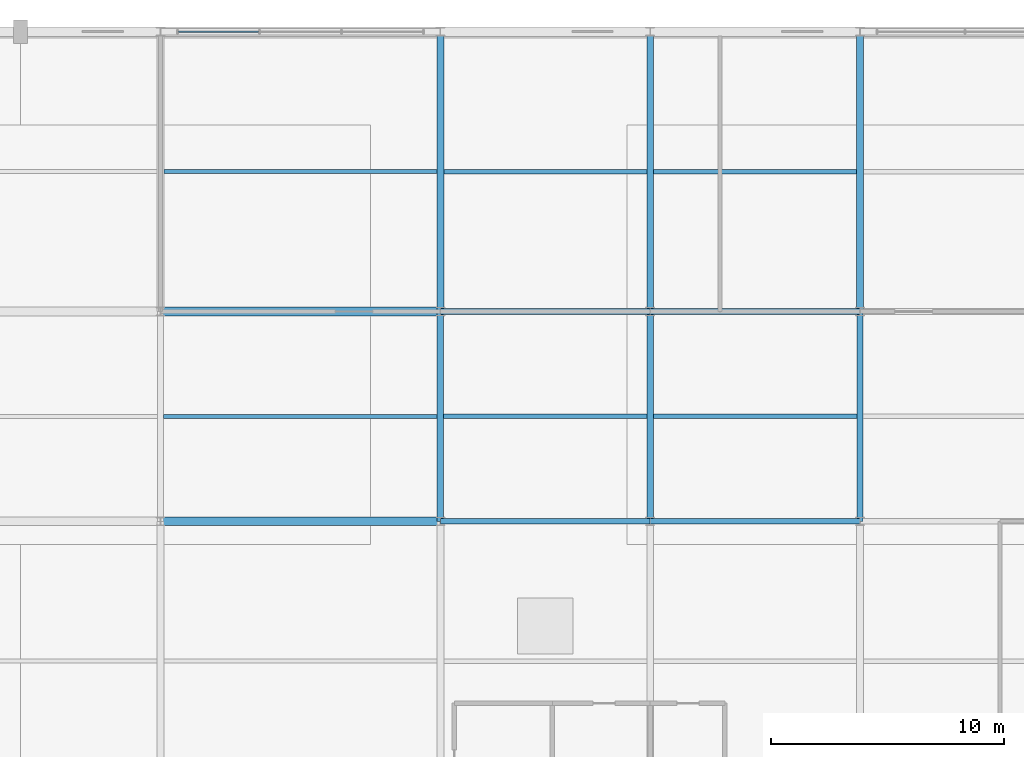
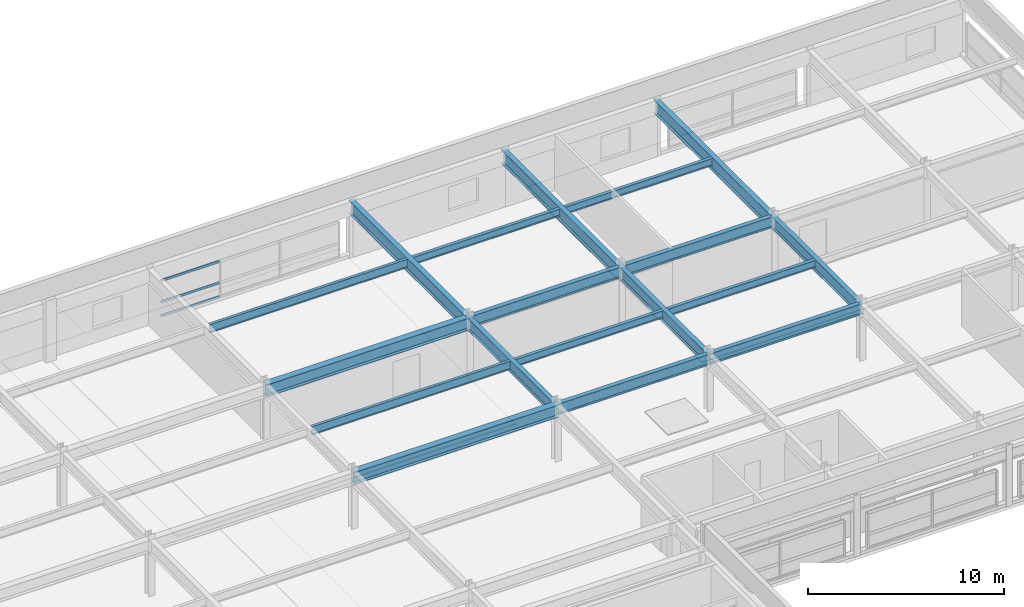
# One storey, part 77 of 108: 18 beams, 3 members, 1 element without a shape of its own.
"""IFC4 building model written with IfcOpenShell, lengths in metres."""

from ifc_helpers import new_model, si_unit, direction, frame, origin, origin_2d, place, context, subcontext, project, spatial, hollow_rectangle, i_section, extrude, material, material_profile, profile_set, type_object, element, aggregate, save


model = new_model("IFC4")

# Units and contexts
model_context = context("Model", 3, precision=1e-05, world=origin(), true_north=direction((0.0, 1.0)))
body_context = subcontext(model_context, "Body", "Model", "MODEL_VIEW")
ifc_project = project(units=[si_unit("LENGTHUNIT", "METRE"), si_unit("AREAUNIT", "SQUARE_METRE"), si_unit("VOLUMEUNIT", "CUBIC_METRE"), si_unit("PLANEANGLEUNIT", "RADIAN"), si_unit("MASSUNIT", "GRAM", prefix="KILO")], contexts=[model_context])

# Site, building, storey
site_placement = place(None, origin())
site = spatial("IfcSite", under=ifc_project, at=site_placement, CompositionType="ELEMENT")
building_placement = place(site_placement, origin())
building = spatial("IfcBuilding", under=site, at=building_placement, Name="Kaldorvane Square Convention Centre", CompositionType="ELEMENT")
storey_placement = place(building_placement, frame((0.0, 0.0, 23.399993896484375)))
storey = spatial("IfcBuildingStorey", under=building, at=storey_placement, Name="L04", CompositionType="ELEMENT", Elevation=23.399993896484375)

# Beams
ifc_material_1 = material(Name="Steel ASTM A992 Gr. 50", Category="steel")
ifc_material_profile_1 = material_profile(ifc_material_1, i_section(OverallWidth=0.25439453125, OverallDepth=0.6880950927734375, WebThickness=0.0131072998046875, FlangeThickness=0.0211029052734375, FilletRadius=0.01519775390625, at=origin_2d()), Name="W27X102")
ifc_profile_set_1 = profile_set([ifc_material_profile_1], Name="Steel ASTM A992 Gr. 50")
beam_type_1 = type_object("IfcBeamType", Name="BM-GR-W27X102", PredefinedType="BEAM", material=ifc_profile_set_1)
for number, where, z_axis, x_axis, name in (
    (1, (138.0, 96.0, 3.1819000244140625), (1.0, 0.0, 0.0), (0.0, 1.0, 0.0), "Primary Girder (L04)"),
    (2, (147.0, 96.0, 3.1819000244140625), (1.0, 0.0, 0.0), (0.0, 1.0, 0.0), "Primary Girder (L04)"),
    (3, (138.0, 105.0, 3.1819000244140625), (1.0, 0.0, 0.0), (0.0, 1.0, 0.0), "Primary Girder (L04)"),
    (4, (147.0, 105.0, 3.1819000244140625), (1.0, 0.0, 0.0), (0.0, 1.0, 0.0), "Primary Girder (L04)"),
):
    element("IfcBeam", number, at=place(storey_placement, frame(where, z_axis=z_axis, x_axis=x_axis)), inside=storey, type_object=beam_type_1, Name=name, PredefinedType="BEAM", context=body_context, shape_type="SweptSolid", body=[
        extrude(i_section(OverallWidth=0.25439453125, OverallDepth=0.6880950927734375, WebThickness=0.0131072998046875, FlangeThickness=0.0211029052734375, FilletRadius=0.01519775390625, at=origin_2d()), origin(), (0.0, 0.0, 1.0), 9.0),
    ])
ifc_material_profile_2 = material_profile(ifc_material_1, i_section(OverallWidth=0.2666015625, OverallDepth=0.762298583984375, WebThickness=0.014404296875, FlangeThickness=0.0216064453125, FilletRadius=0.0164947509765625, at=origin_2d()), Name="W30X116")
ifc_profile_set_2 = profile_set([ifc_material_profile_2], Name="Steel ASTM A992 Gr. 50")
beam_type_2 = type_object("IfcBeamType", Name="BM-GR-W30X116", PredefinedType="BEAM", material=ifc_profile_set_2)
for number, where, z_axis, x_axis, name in (
    (5, (138.0, 96.0, 3.144805908203125), (0.0, 1.0, 0.0), (-1.0, 0.0, 0.0), "Transverse Girder (L04)"),
    (6, (147.0, 96.0, 3.144805908203125), (0.0, 1.0, 0.0), (-1.0, 0.0, 0.0), "Transverse Girder (L04)"),
    (7, (156.0, 96.0, 3.144805908203125), (0.0, 1.0, 0.0), (-1.0, 0.0, 0.0), "Transverse Girder (L04)"),
):
    element("IfcBeam", number, at=place(storey_placement, frame(where, z_axis=z_axis, x_axis=x_axis)), inside=storey, type_object=beam_type_2, Name=name, PredefinedType="BEAM", context=body_context, shape_type="SweptSolid", body=[
        extrude(i_section(OverallWidth=0.2666015625, OverallDepth=0.762298583984375, WebThickness=0.014404296875, FlangeThickness=0.0216064453125, FilletRadius=0.0164947509765625, at=origin_2d()), origin(), (0.0, 0.0, 1.0), 9.0),
    ])
ifc_material_profile_3 = material_profile(ifc_material_1, i_section(OverallWidth=0.380706787109375, OverallDepth=0.773193359375, WebThickness=0.0166015625, FlangeThickness=0.027099609375, FilletRadius=0.0164947509765625, at=origin_2d()), Name="W30X173")
ifc_profile_set_3 = profile_set([ifc_material_profile_3], Name="Steel ASTM A992 Gr. 50")
beam_type_3 = type_object("IfcBeamType", Name="BM-GR-W30X173", PredefinedType="BEAM", material=ifc_profile_set_3)
for number, where, z_axis, x_axis, name in (
    (8, (126.0, 96.0, 3.139404296875), (1.0, 0.0, 0.0), (0.0, 1.0, 0.0), "Primary Girder (L04)"),
    (9, (126.0, 105.0, 3.139404296875), (1.0, 0.0, 0.0), (0.0, 1.0, 0.0), "Primary Girder (L04)"),
):
    element("IfcBeam", number, at=place(storey_placement, frame(where, z_axis=z_axis, x_axis=x_axis)), inside=storey, type_object=beam_type_3, Name=name, PredefinedType="BEAM", context=body_context, shape_type="SweptSolid", body=[
        extrude(i_section(OverallWidth=0.380706787109375, OverallDepth=0.773193359375, WebThickness=0.0166015625, FlangeThickness=0.027099609375, FilletRadius=0.0164947509765625, at=origin_2d()), origin(), (0.0, 0.0, 1.0), 12.0),
    ])
ifc_material_profile_4 = material_profile(ifc_material_1, i_section(OverallWidth=0.292999267578125, OverallDepth=0.845794677734375, WebThickness=0.0153961181640625, FlangeThickness=0.0243988037109375, FilletRadius=0.0178070068359375, at=origin_2d()), Name="W33X141")
ifc_profile_set_4 = profile_set([ifc_material_profile_4], Name="Steel ASTM A992 Gr. 50")
beam_type_4 = type_object("IfcBeamType", Name="BM-GR-W33X141", PredefinedType="BEAM", material=ifc_profile_set_4)
for number, where, z_axis, x_axis, name in (
    (10, (138.0, 105.0, 3.1031036376953125), (0.0, 1.0, 0.0), (-1.0, 0.0, 0.0), "Transverse Girder (L04)"),
    (11, (147.0, 105.0, 3.1031036376953125), (0.0, 1.0, 0.0), (-1.0, 0.0, 0.0), "Transverse Girder (L04)"),
    (12, (156.0, 105.0, 3.1031036376953125), (0.0, 1.0, 0.0), (-1.0, 0.0, 0.0), "Transverse Girder (L04)"),
):
    element("IfcBeam", number, at=place(storey_placement, frame(where, z_axis=z_axis, x_axis=x_axis)), inside=storey, type_object=beam_type_4, Name=name, PredefinedType="BEAM", context=body_context, shape_type="SweptSolid", body=[
        extrude(i_section(OverallWidth=0.292999267578125, OverallDepth=0.845794677734375, WebThickness=0.0153961181640625, FlangeThickness=0.0243988037109375, FilletRadius=0.0178070068359375, at=origin_2d()), origin(), (0.0, 0.0, 1.0), 12.0),
    ])
ifc_material_profile_5 = material_profile(ifc_material_1, i_section(OverallWidth=0.1912994384765625, OverallDepth=0.4600067138671875, WebThickness=0.0099029541015625, FlangeThickness=0.0160064697265625, FilletRadius=0.01019287109375, at=origin_2d()), Name="W18X55")
ifc_profile_set_5 = profile_set([ifc_material_profile_5], Name="Steel ASTM A992 Gr. 50")
beam_type_5 = type_object("IfcBeamType", Name="BM-JS-W18X55", PredefinedType="JOIST", material=ifc_profile_set_5)
for number, where, z_axis, x_axis, name in (
    (13, (138.13330078125, 100.5, 3.2960052490234375), (1.0, 0.0, 0.0), (0.0, 1.0, 0.0), "Secondary Floor Joist (L04)"),
    (14, (147.13330078125, 100.5, 3.2960052490234375), (1.0, 0.0, 0.0), (0.0, 1.0, 0.0), "Secondary Floor Joist (L04)"),
):
    element("IfcBeam", number, at=place(storey_placement, frame(where, z_axis=z_axis, x_axis=x_axis)), inside=storey, type_object=beam_type_5, Name=name, PredefinedType="JOIST", context=body_context, shape_type="SweptSolid", body=[
        extrude(i_section(OverallWidth=0.1912994384765625, OverallDepth=0.4600067138671875, WebThickness=0.0099029541015625, FlangeThickness=0.0160064697265625, FilletRadius=0.01019287109375, at=origin_2d()), origin(), (0.0, 0.0, 1.0), 8.7333984375),
    ])
for number, where, z_axis, x_axis, name in (
    (15, (138.14649963378906, 111.0, 3.2960052490234375), (1.0, 0.0, 0.0), (0.0, 1.0, 0.0), "Secondary Floor Joist (L04)"),
    (16, (147.14649963378906, 111.0, 3.2960052490234375), (1.0, 0.0, 0.0), (0.0, 1.0, 0.0), "Secondary Floor Joist (L04)"),
):
    element("IfcBeam", number, at=place(storey_placement, frame(where, z_axis=z_axis, x_axis=x_axis)), inside=storey, type_object=beam_type_5, Name=name, PredefinedType="JOIST", context=body_context, shape_type="SweptSolid", body=[
        extrude(i_section(OverallWidth=0.1912994384765625, OverallDepth=0.4600067138671875, WebThickness=0.0099029541015625, FlangeThickness=0.0160064697265625, FilletRadius=0.01019287109375, at=origin_2d()), origin(), (0.0, 0.0, 1.0), 8.707000732421875),
    ])
ifc_material_profile_6 = material_profile(ifc_material_1, i_section(OverallWidth=0.1658935546875, OverallDepth=0.5290985107421875, WebThickness=0.00970458984375, FlangeThickness=0.0135955810546875, FilletRadius=0.0126953125, at=origin_2d()), Name="W21X50")
ifc_profile_set_6 = profile_set([ifc_material_profile_6], Name="Steel ASTM A992 Gr. 50")
beam_type_6 = type_object("IfcBeamType", Name="BM-JS-W21X50", PredefinedType="JOIST", material=ifc_profile_set_6)
beam_1_placement = place(storey_placement, frame((126.13330078125, 100.5, 3.26141357421875), z_axis=(1.0, 0.0, 0.0), x_axis=(0.0, 1.0, 0.0)))
element("IfcBeam", 17, at=beam_1_placement, inside=storey, type_object=beam_type_6, Name="Secondary Floor Joist (L04)", PredefinedType="JOIST", context=body_context, shape_type="SweptSolid", body=[
    extrude(i_section(OverallWidth=0.1658935546875, OverallDepth=0.5290985107421875, WebThickness=0.00970458984375, FlangeThickness=0.0135955810546875, FilletRadius=0.0126953125, at=origin_2d()), origin(), (0.0, 0.0, 1.0), 11.7333984375),
])
beam_2_placement = place(storey_placement, frame((126.14649963378906, 111.0, 3.26141357421875), z_axis=(1.0, 0.0, 0.0), x_axis=(0.0, 1.0, 0.0)))
element("IfcBeam", 18, at=beam_2_placement, inside=storey, type_object=beam_type_6, Name="Secondary Floor Joist (L04)", PredefinedType="JOIST", context=body_context, shape_type="SweptSolid", body=[
    extrude(i_section(OverallWidth=0.1658935546875, OverallDepth=0.5290985107421875, WebThickness=0.00970458984375, FlangeThickness=0.0135955810546875, FilletRadius=0.0126953125, at=origin_2d()), origin(), (0.0, 0.0, 1.0), 11.707000732421875),
])

# Curtain wall, members
ifc_material_2 = material(Name="Anodized Aluminum and Low-E Insulated Glazing", Category="aluminium")
curtain_wall_type = type_object("IfcCurtainWallType", Name="CW-UNI-P42-09", PredefinedType="USERDEFINED", material=ifc_material_2)
curtain_wall_placement = place(storey_placement, origin())
curtain_wall = element("IfcCurtainWall", 19, at=curtain_wall_placement, inside=storey, type_object=curtain_wall_type, Name="Curtain Wall CW-06 (L04)", ObjectType="UNITISED GLAZING", PredefinedType="USERDEFINED")
ifc_material_profile_7 = material_profile(ifc_material_2, hollow_rectangle(XDim=0.05999755859375, YDim=0.149993896484375, WallThickness=0.003204345703125, at=origin_2d()), Name="CWT-150X60")
ifc_profile_set_7 = profile_set([ifc_material_profile_7], Name="Anodized Aluminum and Low-E Insulated Glazing")
member_type = type_object("IfcMemberType", Name="CW-TRN-150", PredefinedType="USERDEFINED", material=ifc_profile_set_7)
member_1_placement = place(storey_placement, frame((130.20083618164062, 117.0, 0.1800079345703125), z_axis=(-1.0, 0.0, 0.0), x_axis=(0.0, -1.0, 0.0)))
member_1 = element("IfcMember", 20, at=member_1_placement, type_object=member_type, Name="CW-06 transom 3.1", ObjectType="TRANSOM", PredefinedType="USERDEFINED", context=body_context, shape_type="SweptSolid", body=[
    extrude(hollow_rectangle(XDim=0.05999755859375, YDim=0.149993896484375, WallThickness=0.003204345703125, at=origin_2d()), origin(), (0.0, 0.0, 1.0), 3.4358367919921875),
])
member_2_placement = place(storey_placement, frame((130.20083618164062, 117.0, 1.0500030517578125), z_axis=(-1.0, 0.0, 0.0), x_axis=(0.0, -1.0, 0.0)))
member_2 = element("IfcMember", 21, at=member_2_placement, type_object=member_type, Name="CW-06 transom 3.2", ObjectType="TRANSOM", PredefinedType="USERDEFINED", context=body_context, shape_type="SweptSolid", body=[
    extrude(hollow_rectangle(XDim=0.05999755859375, YDim=0.149993896484375, WallThickness=0.003204345703125, at=origin_2d()), origin(), (0.0, 0.0, 1.0), 3.4358367919921875),
])
member_3_placement = place(storey_placement, frame((130.20083618164062, 117.0, 2.3800048828125), z_axis=(-1.0, 0.0, 0.0), x_axis=(0.0, -1.0, 0.0)))
member_3 = element("IfcMember", 22, at=member_3_placement, type_object=member_type, Name="CW-06 transom 3.3", ObjectType="TRANSOM", PredefinedType="USERDEFINED", context=body_context, shape_type="SweptSolid", body=[
    extrude(hollow_rectangle(XDim=0.05999755859375, YDim=0.149993896484375, WallThickness=0.003204345703125, at=origin_2d()), origin(), (0.0, 0.0, 1.0), 3.4358367919921875),
])
aggregate(curtain_wall, [member_1, member_2, member_3])

save(model, "model.ifc")
